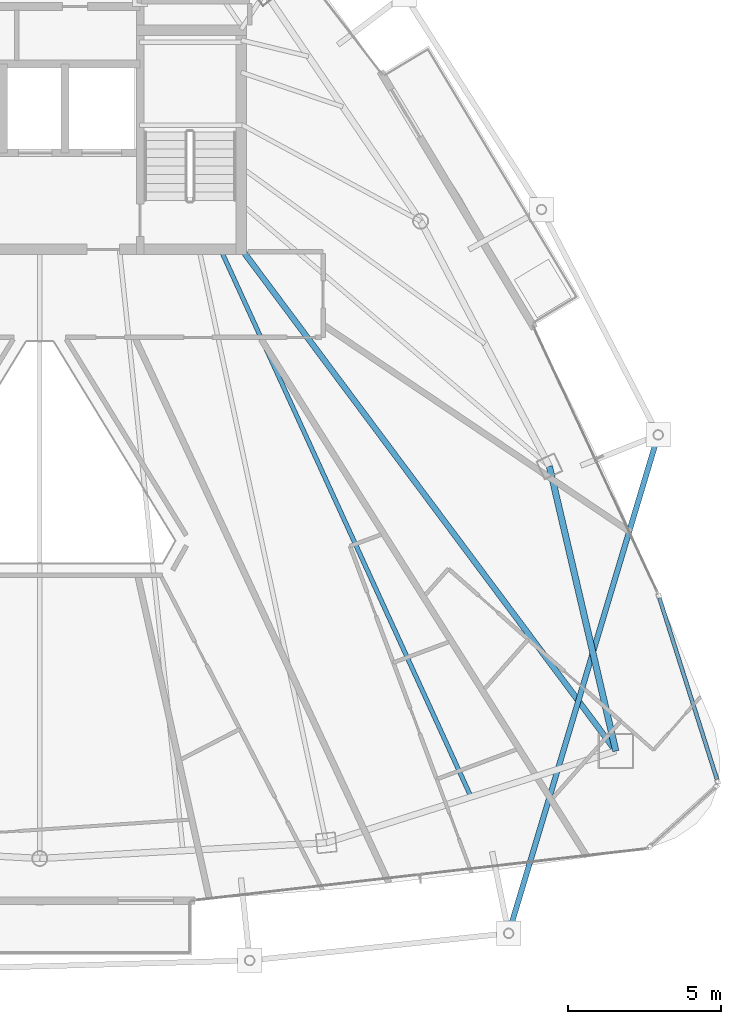
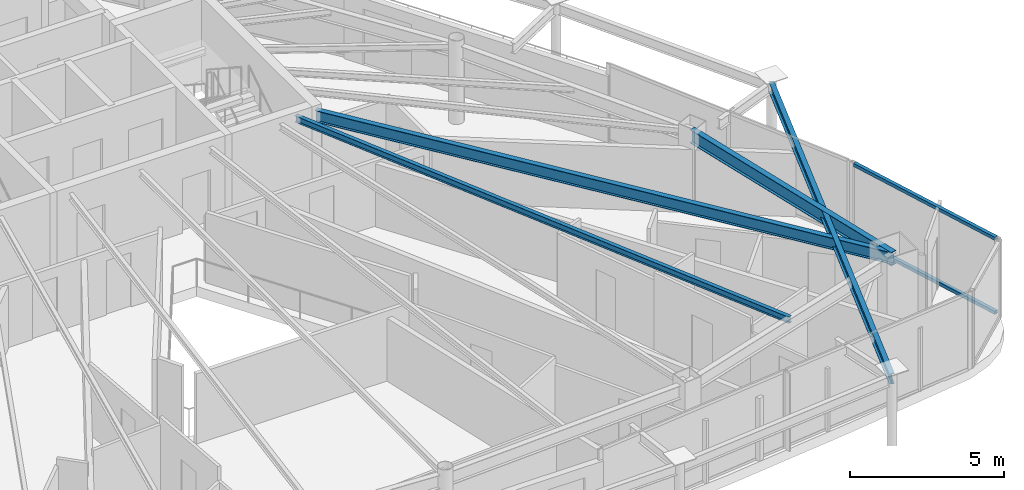
# One storey, part 15 of 29: 4 beams, 2 members, 1 element without a shape of its own.
"""IFC4 building model written with IfcOpenShell, lengths in metres."""

from ifc_helpers import new_model, si_unit, direction, frame, origin, origin_2d, place, context, subcontext, project, spatial, hollow_rectangle, i_section, extrude, material, layer, layer_set, material_profile, profile_set, type_object, element, aggregate, save


model = new_model("IFC4")

# Units and contexts
model_context = context("Model", 3, precision=1e-05, world=origin(), true_north=direction((0.0, 1.0)))
body_context = subcontext(model_context, "Body", "Model", "MODEL_VIEW")
ifc_project = project(units=[si_unit("LENGTHUNIT", "METRE"), si_unit("AREAUNIT", "SQUARE_METRE"), si_unit("VOLUMEUNIT", "CUBIC_METRE"), si_unit("PLANEANGLEUNIT", "RADIAN"), si_unit("MASSUNIT", "GRAM", prefix="KILO")], contexts=[model_context])

# Site, building, storey
site_placement = place(None, origin())
site = spatial("IfcSite", under=ifc_project, at=site_placement, CompositionType="ELEMENT")
building_placement = place(site_placement, origin())
building = spatial("IfcBuilding", under=site, at=building_placement, Name="Orvanel Arch Residences", CompositionType="ELEMENT")
storey_placement = place(building_placement, frame((0.0, 0.0, 256.85009765625)))
storey = spatial("IfcBuildingStorey", under=building, at=storey_placement, Name="L73", CompositionType="ELEMENT", Elevation=256.85009765625)

# Beams
ifc_material_1 = material(Name="Structural steel AS/NZS 3679.1 Grade 300 (300 MPa)", Category="steel")
ifc_material_profile_1 = material_profile(ifc_material_1, i_section(OverallWidth=0.19091796875, OverallDepth=0.4599609375, WebThickness=0.010009765625, FlangeThickness=0.01611328125, at=origin_2d()), Name="460UB82.1")
ifc_profile_set_1 = profile_set([ifc_material_profile_1], Name="Structural steel AS/NZS 3679.1 Grade 300 (300 MPa)")
beam_type_1 = type_object("IfcBeamType", Name="BG-460UB", PredefinedType="BEAM", material=ifc_profile_set_1)
beam_1_placement = place(storey_placement, frame((39.625, 26.675048828125, 2.829833984375), z_axis=(0.597893733742, -0.801575375839, 0.0), x_axis=(0.801575375839, 0.597893733742, 0.0)))
element("IfcBeam", 1, at=beam_1_placement, inside=storey, type_object=beam_type_1, Name="L73 South-East Radial Girder", PredefinedType="BEAM", context=body_context, shape_type="SweptSolid", body=[
    extrude(i_section(OverallWidth=0.19091796875, OverallDepth=0.4599609375, WebThickness=0.010009765625, FlangeThickness=0.01611328125, at=origin_2d()), origin(), (0.0, 0.0, 1.0), 20.36474609375),
])
ifc_material_profile_2 = material_profile(ifc_material_1, i_section(OverallWidth=0.14599609375, OverallDepth=0.251953125, WebThickness=0.006103515625, FlangeThickness=0.008544921875, at=origin_2d()), Name="250UB31.4")
ifc_profile_set_2 = profile_set([ifc_material_profile_2], Name="Structural steel AS/NZS 3679.1 Grade 300 (300 MPa)")
beam_type_2 = type_object("IfcBeamType", Name="BJ-250UB", PredefinedType="JOIST", material=ifc_profile_set_2)
beam_2_placement = place(storey_placement, frame((38.89990234375, 26.72509765625, 2.933837890625), z_axis=(0.416009574066, -0.909360233508, 0.0), x_axis=(0.909360233508, 0.416009574066, 0.0)))
element("IfcBeam", 2, at=beam_2_placement, inside=storey, type_object=beam_type_2, Name="L73 JADD2 Wing Floor Joist", PredefinedType="JOIST", context=body_context, shape_type="SweptSolid", body=[
    extrude(i_section(OverallWidth=0.14599609375, OverallDepth=0.251953125, WebThickness=0.006103515625, FlangeThickness=0.008544921875, at=origin_2d()), origin(), (0.0, 0.0, 1.0), 19.653564453125),
])
ifc_material_profile_3 = material_profile(ifc_material_1, i_section(OverallWidth=0.177978515625, OverallDepth=0.406005859375, WebThickness=0.0078125, FlangeThickness=0.0126953125, at=origin_2d()), Name="410UB59.7")
ifc_profile_set_3 = profile_set([ifc_material_profile_3], Name="Structural steel AS/NZS 3679.1 Grade 300 (300 MPa)")
beam_type_3 = type_object("IfcBeamType", Name="OB-410UB-EXT", PredefinedType="SPANDREL", material=ifc_profile_set_3)
beam_3_placement = place(storey_placement, frame((48.302978515625, 4.402099609375, 2.85693359375), z_axis=(0.287420424458, 0.957804520559, 0.0), x_axis=(-0.957804520559, 0.287420424458, 0.0)))
element("IfcBeam", 3, at=beam_3_placement, inside=storey, type_object=beam_type_3, Name="L73 Outer Perimeter Floor Ring Beam 08", PredefinedType="SPANDREL", context=body_context, shape_type="SweptSolid", body=[
    extrude(i_section(OverallWidth=0.177978515625, OverallDepth=0.406005859375, WebThickness=0.0078125, FlangeThickness=0.0126953125, at=origin_2d()), origin(), (0.0, 0.0, 1.0), 16.982421875),
])
ifc_material_profile_4 = material_profile(ifc_material_1, i_section(OverallWidth=0.208984375, OverallDepth=0.532958984375, WebThickness=0.01025390625, FlangeThickness=0.015625, at=origin_2d()), Name="530UB92.4")
ifc_profile_set_4 = profile_set([ifc_material_profile_4], Name="Structural steel AS/NZS 3679.1 Grade 300 (300 MPa)")
beam_type_4 = type_object("IfcBeamType", Name="SP-530UB", PredefinedType="SPANDREL", material=ifc_profile_set_4)
beam_4_placement = place(storey_placement, frame((51.801025390625, 10.35107421875, 2.7939453125), z_axis=(-0.227236087167, 0.973839699688, 0.0), x_axis=(-0.973839699688, -0.227236087167, 0.0)))
element("IfcBeam", 4, at=beam_4_placement, inside=storey, type_object=beam_type_4, Name="L73 Perimeter Spandrel Beam 06", PredefinedType="SPANDREL", context=body_context, shape_type="SweptSolid", body=[
    extrude(i_section(OverallWidth=0.208984375, OverallDepth=0.532958984375, WebThickness=0.01025390625, FlangeThickness=0.015625, at=origin_2d()), origin(), (0.0, 0.0, 1.0), 9.54052734375),
])

# Curtain wall, members
ifc_material_2 = material(Name="Bronze-anodised aluminium AA6063-T6", Category="aluminium")
ifc_layer = layer(ifc_material_2, 0.18994140625)
ifc_layer_set = layer_set([ifc_layer], Name="Bronze-anodised aluminium AA6063-T6")
curtain_wall_type = type_object("IfcCurtainWallType", Name="CW5-CRN-SYS", PredefinedType="NOTDEFINED", material=ifc_layer_set)
curtain_wall_placement = place(storey_placement, origin())
curtain_wall = element("IfcCurtainWall", 5, at=curtain_wall_placement, inside=storey, type_object=curtain_wall_type, Name="L73 CW5-CRN-SYS Unitised Curtain Wall", PredefinedType="NOTDEFINED")
ifc_material_profile_5 = material_profile(ifc_material_2, hollow_rectangle(XDim=0.1298828125, YDim=0.1298828125, WallThickness=0.00439453125, at=origin_2d()), Name="ALU130x130x4.5")
ifc_profile_set_5 = profile_set([ifc_material_profile_5], Name="Bronze-anodised aluminium AA6063-T6")
member_type = type_object("IfcMemberType", Name="TRN-130x130", PredefinedType="USERDEFINED", material=ifc_profile_set_5)
member_1_placement = place(storey_placement, frame((55.103515625, 9.425048828125, 0.06494140625), z_axis=(-0.302687439533, 0.953089877162, 0.0), x_axis=(-0.953089877162, -0.302687439533, 0.0)))
member_1 = element("IfcMember", 6, at=member_1_placement, type_object=member_type, Name="CW-S5 transom 1.1", ObjectType="TRANSOM", PredefinedType="USERDEFINED", context=body_context, shape_type="SweptSolid", body=[
    extrude(hollow_rectangle(XDim=0.1298828125, YDim=0.1298828125, WallThickness=0.00439453125, at=origin_2d()), origin(), (0.0, 0.0, 1.0), 6.208251953125),
])
member_2_placement = place(storey_placement, frame((55.103515625, 9.425048828125, 2.994873046875), z_axis=(-0.302687439533, 0.953089877162, 0.0), x_axis=(-0.953089877162, -0.302687439533, 0.0)))
member_2 = element("IfcMember", 7, at=member_2_placement, type_object=member_type, Name="CW-S5 transom 1.2", ObjectType="TRANSOM", PredefinedType="USERDEFINED", context=body_context, shape_type="SweptSolid", body=[
    extrude(hollow_rectangle(XDim=0.1298828125, YDim=0.1298828125, WallThickness=0.00439453125, at=origin_2d()), origin(), (0.0, 0.0, 1.0), 6.208251953125),
])
aggregate(curtain_wall, [member_1, member_2])

save(model, "model.ifc")
